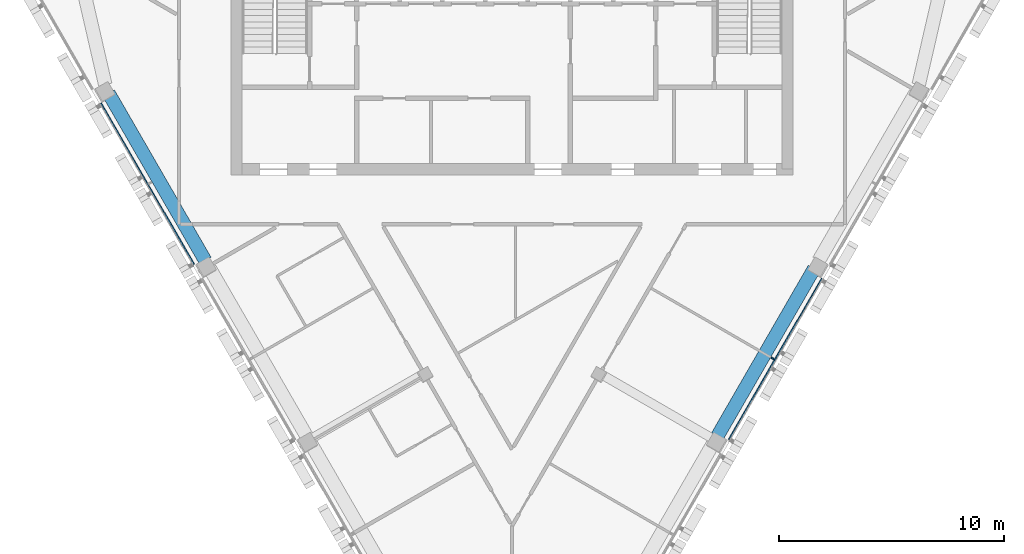
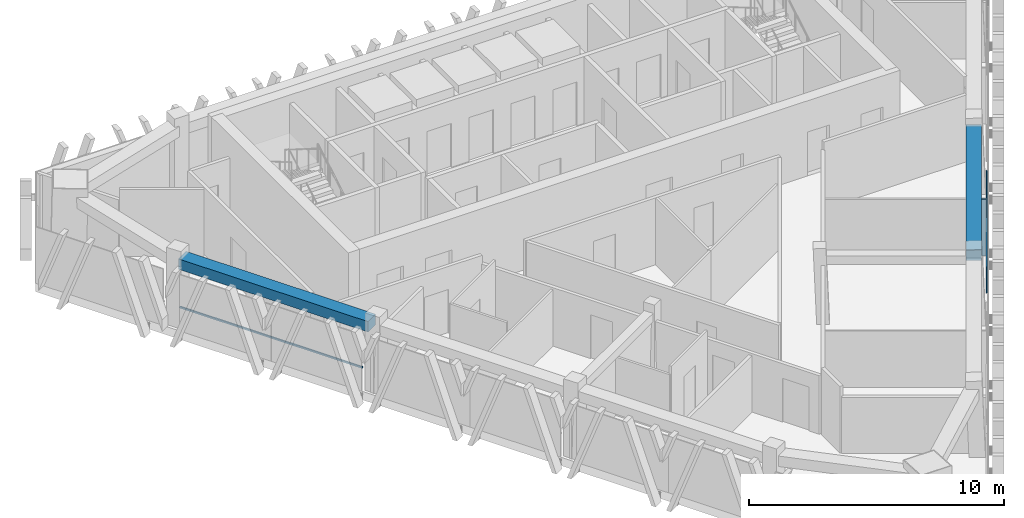
# One storey, part 3 of 12: 3 members, 2 beams, 2 elements without a shape of their own.
"""IFC4 building model written with IfcOpenShell, lengths in metres."""

from ifc_helpers import new_model, si_unit, direction, frame, origin, origin_2d, place, context, subcontext, project, spatial, rectangle, extrude, material, layer, layer_set, material_profile, profile_set, type_object, element, aggregate, save


model = new_model("IFC4")

# Units and contexts
model_context = context("Model", 3, precision=1e-05, world=origin(), true_north=direction((0.0, 1.0)))
body_context = subcontext(model_context, "Body", "Model", "MODEL_VIEW")
ifc_project = project(units=[si_unit("LENGTHUNIT", "METRE"), si_unit("AREAUNIT", "SQUARE_METRE"), si_unit("VOLUMEUNIT", "CUBIC_METRE"), si_unit("PLANEANGLEUNIT", "RADIAN"), si_unit("MASSUNIT", "GRAM", prefix="KILO")], contexts=[model_context])

# Site, building, storey
site_placement = place(None, origin())
site = spatial("IfcSite", under=ifc_project, at=site_placement, CompositionType="ELEMENT")
building_placement = place(site_placement, origin())
building = spatial("IfcBuilding", under=site, at=building_placement, Name="Altiplano Prism Tower", CompositionType="ELEMENT")
storey_placement = place(building_placement, frame((0.0, 0.0, 316.60009765625)))
storey = spatial("IfcBuildingStorey", under=building, at=storey_placement, Name="L82", CompositionType="ELEMENT", Elevation=316.60009765625)

# Curtain wall, member
ifc_material_1 = material(Name="Aluminium and glass", Category="aluminium")
ifc_layer = layer(ifc_material_1, 0.280029296875)
ifc_layer_set = layer_set([ifc_layer], Name="Aluminium and glass")
curtain_wall_type = type_object("IfcCurtainWallType", Name="CW1 typical co-living unitised curtain wall", PredefinedType="NOTDEFINED", material=ifc_layer_set)
curtain_wall_1_placement = place(storey_placement, origin())
curtain_wall_1 = element("IfcCurtainWall", 1, at=curtain_wall_1_placement, inside=storey, type_object=curtain_wall_type, Name="CW1 curtain wall south-east face L82", PredefinedType="NOTDEFINED")
ifc_material_2 = material(Name="Aluminium", Category="aluminium")
ifc_material_profile_1 = material_profile(ifc_material_2, rectangle(XDim=0.179931640625, YDim=0.06494140625, at=origin_2d()), Name="CW1 mullion 65 x 180")
ifc_profile_set_1 = profile_set([ifc_material_profile_1], Name="Aluminium")
member_type_1 = type_object("IfcMemberType", Name="CW1 mullion 65 x 180", PredefinedType="MULLION", material=ifc_profile_set_1)
member_1_placement = place(storey_placement, frame((96.587158203125, 84.740234375, 0.0), z_axis=(0.0, 0.0, 1.0), x_axis=(-0.866025400224, 0.500000006167, 0.0)))
member_1 = element("IfcMember", 2, at=member_1_placement, type_object=member_type_1, Name="CW1 mullion", PredefinedType="MULLION", context=body_context, shape_type="SweptSolid", body=[
    extrude(rectangle(XDim=0.179931640625, YDim=0.06494140625, at=origin_2d()), origin(), (0.0, 0.0, 1.0), 2.699951171875),
])

curtain_wall_2_placement = place(storey_placement, origin())
curtain_wall_2 = element("IfcCurtainWall", 3, at=curtain_wall_2_placement, inside=storey, type_object=curtain_wall_type, Name="CW1 curtain wall south-west face L82", PredefinedType="NOTDEFINED")
ifc_material_profile_2 = material_profile(ifc_material_2, rectangle(XDim=0.06005859375, YDim=0.080078125, at=origin_2d()), Name="CW1 transom 80 x 60")
ifc_profile_set_2 = profile_set([ifc_material_profile_2], Name="Aluminium")
member_type_2 = type_object("IfcMemberType", Name="CW1 transom 80 x 60", PredefinedType="USERDEFINED", material=ifc_profile_set_2)
member_2_placement = place(storey_placement, frame((66.7216796875, 96.089599609375, 1.099853515625), z_axis=(0.499987375974, -0.866032692147, 0.0), x_axis=(0.866032692147, 0.499987375974, 0.0)))
member_2 = element("IfcMember", 4, at=member_2_placement, type_object=member_type_2, Name="CW1 transom", ObjectType="TRANSOM", PredefinedType="USERDEFINED", context=body_context, shape_type="SweptSolid", body=[
    extrude(rectangle(XDim=0.06005859375, YDim=0.080078125, at=origin_2d()), origin(), (0.0, 0.0, 1.0), 8.269775390625),
])
aggregate(curtain_wall_2, [member_2])

# Member
member_3_placement = place(storey_placement, frame((94.6435546875, 81.133544921875, 1.099853515625), z_axis=(0.499987375974, 0.866032692147, 0.0), x_axis=(-0.866032692147, 0.499987375974, 0.0)))
member_3 = element("IfcMember", 5, at=member_3_placement, type_object=member_type_2, Name="CW1 transom", ObjectType="TRANSOM", PredefinedType="USERDEFINED", context=body_context, shape_type="SweptSolid", body=[
    extrude(rectangle(XDim=0.06005859375, YDim=0.080078125, at=origin_2d()), origin(), (0.0, 0.0, 1.0), 8.269775390625),
])

aggregate(curtain_wall_1, [member_1, member_3])

# Beams
ifc_material_3 = material(Name="Concrete C60/75", Category="concrete")
ifc_material_profile_3 = material_profile(ifc_material_3, rectangle(XDim=0.60009765625, YDim=0.5, at=origin_2d()), Name="Edge beam 600x500")
ifc_profile_set_3 = profile_set([ifc_material_profile_3], Name="Concrete C60/75")
beam_type = type_object("IfcBeamType", Name="Edge beam 600x500", PredefinedType="SPANDREL", material=ifc_profile_set_3)
beam_1_placement = place(storey_placement, frame((67.0703125, 96.522705078125, 2.949951171875), z_axis=(0.500011935685, -0.866018512604, 0.0), x_axis=(0.866018512604, 0.500011935685, 0.0)))
element("IfcBeam", 6, at=beam_1_placement, inside=storey, type_object=beam_type, Name="Edge beam P11-P12 L83", PredefinedType="SPANDREL", context=body_context, shape_type="SweptSolid", body=[
    extrude(rectangle(XDim=0.60009765625, YDim=0.5, at=origin_2d()), origin(), (0.0, 0.0, 1.0), 8.590087890625),
])
beam_2_placement = place(storey_placement, frame((94.134521484375, 81.289306640625, 2.949951171875), z_axis=(0.500024242818, 0.866011406734, 0.0), x_axis=(-0.866011406734, 0.500024242818, 0.0)))
element("IfcBeam", 7, at=beam_2_placement, inside=storey, type_object=beam_type, Name="Edge beam P22-P23 L83", PredefinedType="SPANDREL", context=body_context, shape_type="SweptSolid", body=[
    extrude(rectangle(XDim=0.60009765625, YDim=0.5, at=origin_2d()), origin(), (0.0, 0.0, 1.0), 8.58984375),
])

save(model, "model.ifc")
